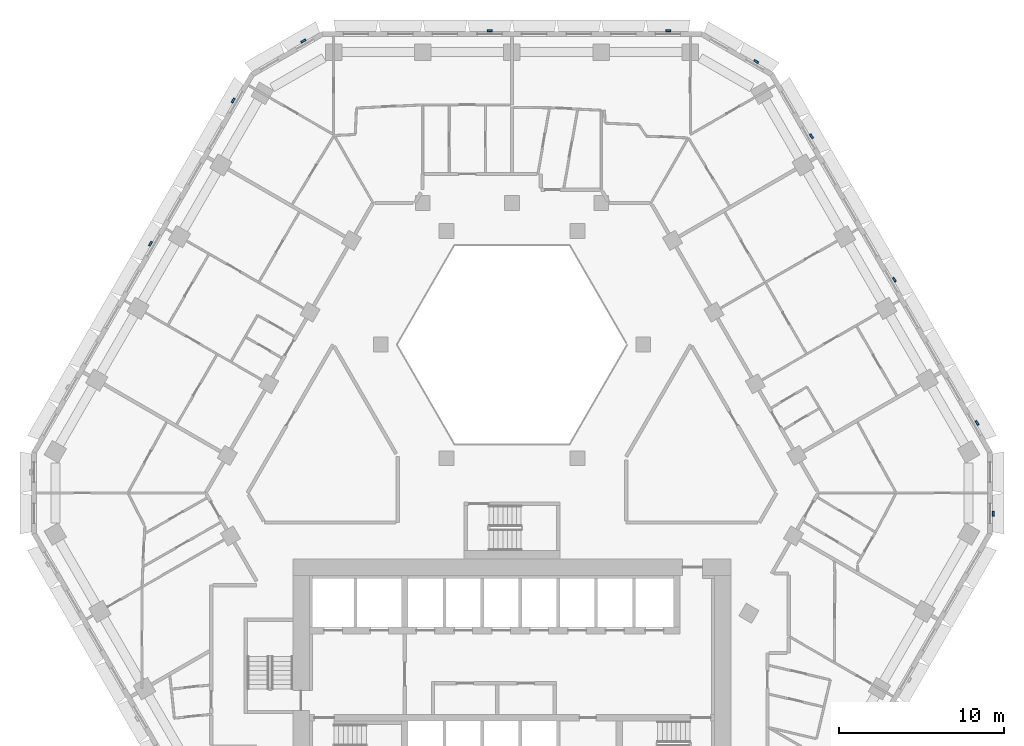
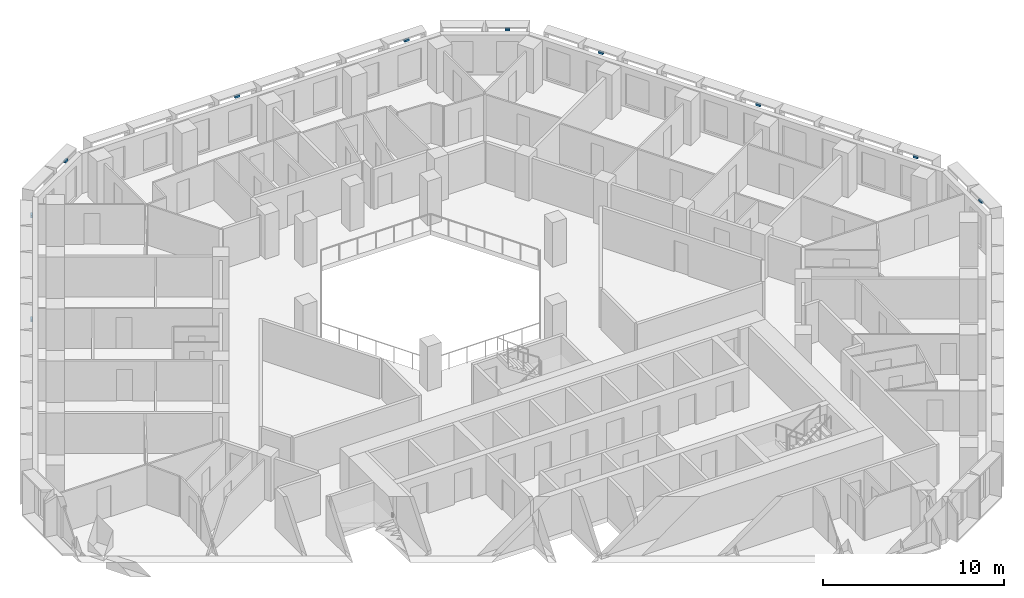
# One storey, part 12 of 18: 10 discrete accessories.
"""IFC4 building model written with IfcOpenShell, lengths in metres."""

import ifcopenshell
import ifcopenshell.guid

model = None  # the IFC model being written
_history = None  # IfcOwnerHistory: only IFC2X3 demands one
_inside = {}  # id of a spatial element -> (the spatial element, [elements in it])
_under = {}  # id of a project, library or spatial element -> (it, [spatial elements below it])
_declared = {}  # id of a project -> (the project, [libraries it declares])
_typed = {}  # id of a type object -> (the type object, [elements of that type])
_made_of = {}  # id of a material, layer set ... -> (it, [elements and type objects made of it])


def new_model(schema):
    """Start an empty IFC model of exactly this schema.

    Asked for "IFC4X3", IfcOpenShell would pick the latest addendum, in which some entities
    have other attributes; the version numbers below select the first issue.
    IFC2X3 requires an IfcOwnerHistory on every rooted entity: one is made here for all.
    """
    global model, _history
    if schema == "IFC4X3":
        model = ifcopenshell.file(schema_version=(4, 3, 0, 0))
    else:
        model = ifcopenshell.file(schema=schema)
    _inside.clear()
    _under.clear()
    _declared.clear()
    _typed.clear()
    _made_of.clear()
    _history = None
    if model.schema == "IFC2X3":
        org = make("IfcOrganization", Name="unknown")
        user = make(
            "IfcPersonAndOrganization",
            ThePerson=make("IfcPerson", FamilyName="unknown"),
            TheOrganization=org,
        )
        app = make(
            "IfcApplication",
            ApplicationDeveloper=org,
            Version="unknown",
            ApplicationFullName="unknown",
            ApplicationIdentifier="unknown",
        )
        _history = make(
            "IfcOwnerHistory",
            OwningUser=user,
            OwningApplication=app,
            ChangeAction="ADDED",
            CreationDate=0,
        )
    return model


def make(cls, **values):
    """One entity of the class cls with the attributes given. An attribute that is None is left unset."""
    return model.create_entity(
        cls, **{name: value for name, value in values.items() if value is not None}
    )


def rooted(cls, **values):
    """An entity with a GlobalId (a new one), such as an element, a storey or a relation."""
    return make(cls, GlobalId=ifcopenshell.guid.new(), OwnerHistory=_history, **values)


def si_unit(unit_type, name, prefix=None):
    """IfcSIUnit, for example si_unit("LENGTHUNIT", "METRE", prefix="MILLI")."""
    return make("IfcSIUnit", UnitType=unit_type, Prefix=prefix, Name=name)


def assignment(units):
    """IfcUnitAssignment: the units of a project."""
    return None if units is None else make("IfcUnitAssignment", Units=units)


def point(xyz):
    """IfcCartesianPoint."""
    return None if xyz is None else make("IfcCartesianPoint", Coordinates=xyz)


def direction(xyz):
    """IfcDirection."""
    return None if xyz is None else make("IfcDirection", DirectionRatios=xyz)


def frame(location, z_axis=None, x_axis=None):
    """IfcAxis2Placement3D, a coordinate frame: its origin and axes. An axis left out is left unset."""
    return make(
        "IfcAxis2Placement3D",
        Location=point(location),
        Axis=direction(z_axis),
        RefDirection=direction(x_axis),
    )


def origin():
    """The frame at (0, 0, 0) with its axes left unset."""
    return frame((0.0, 0.0, 0.0))


def place(relative_to, where):
    """IfcLocalPlacement: puts the frame where relative to a parent placement (None: the world)."""
    return make(
        "IfcLocalPlacement", PlacementRelTo=relative_to, RelativePlacement=where
    )


def context(
    kind, dimensions, precision=None, world=None, true_north=None, identifier=None
):
    """IfcGeometricRepresentationContext, for example the 3D "Model" context."""
    return make(
        "IfcGeometricRepresentationContext",
        ContextIdentifier=identifier,
        ContextType=kind,
        CoordinateSpaceDimension=dimensions,
        Precision=precision,
        WorldCoordinateSystem=world,
        TrueNorth=true_north,
    )


def subcontext(parent, identifier, kind, view, scale=None):
    """IfcGeometricRepresentationSubContext, for example "Body" below "Model"."""
    return make(
        "IfcGeometricRepresentationSubContext",
        ContextIdentifier=identifier,
        ContextType=kind,
        ParentContext=parent,
        TargetScale=scale,
        TargetView=view,
    )


def project(units=None, contexts=None):
    """IfcProject with its units and contexts."""
    return rooted(
        "IfcProject",
        Name="project",
        RepresentationContexts=contexts,
        UnitsInContext=assignment(units),
    )


def spatial(cls, under=None, at=None, **own):
    """A site, building, storey or space (cls), placed at a placement, below another one or the project."""
    s = rooted(cls, ObjectPlacement=at, **own)
    if under is not None:
        _under.setdefault(under.id(), (under, []))[1].append(s)
    return s


def polyline(points):
    """IfcPolyline through the points."""
    return make("IfcPolyline", Points=[point(p) for p in points])


def outline(outer, holes=None, kind="AREA"):
    """IfcArbitraryClosedProfileDef: a profile drawn as a closed curve; with holes, ...WithVoids."""
    if holes is None:
        return make("IfcArbitraryClosedProfileDef", ProfileType=kind, OuterCurve=outer)
    return make(
        "IfcArbitraryProfileDefWithVoids",
        ProfileType=kind,
        OuterCurve=outer,
        InnerCurves=holes,
    )


def extrude(swept, where, along, depth):
    """IfcExtrudedAreaSolid: the profile swept, set in the frame where, extruded along a direction by depth."""
    return make(
        "IfcExtrudedAreaSolid",
        SweptArea=swept,
        Position=where,
        ExtrudedDirection=direction(along),
        Depth=depth,
    )


def shape(context_of_items, identifier, shape_type, items):
    """IfcShapeRepresentation: the items that make up one representation, for example the "Body"."""
    return make(
        "IfcShapeRepresentation",
        ContextOfItems=context_of_items,
        RepresentationIdentifier=identifier,
        RepresentationType=shape_type,
        Items=items,
    )


def source(mapping_origin, context_of_items, identifier, shape_type, items):
    """IfcRepresentationMap: a shape defined once, which mapped items show again and again."""
    return make(
        "IfcRepresentationMap",
        MappingOrigin=mapping_origin,
        MappedRepresentation=shape(context_of_items, identifier, shape_type, items),
    )


def transform(
    local_origin,
    x_axis=None,
    y_axis=None,
    z_axis=None,
    scale=None,
    scale2=None,
    scale3=None,
    uniform=True,
):
    """IfcCartesianTransformationOperator3D, or its non-uniform kind. x_axis, y_axis, z_axis: its Axis1, 2, 3."""
    if uniform:
        return make(
            "IfcCartesianTransformationOperator3D",
            Axis1=direction(x_axis),
            Axis2=direction(y_axis),
            LocalOrigin=point(local_origin),
            Scale=scale,
            Axis3=direction(z_axis),
        )
    return make(
        "IfcCartesianTransformationOperator3DnonUniform",
        Axis1=direction(x_axis),
        Axis2=direction(y_axis),
        LocalOrigin=point(local_origin),
        Scale=scale,
        Axis3=direction(z_axis),
        Scale2=scale2,
        Scale3=scale3,
    )


def mapped(mapping_source, mapping_target):
    """IfcMappedItem: shows the shape of a source again, moved by a transform."""
    return make(
        "IfcMappedItem", MappingSource=mapping_source, MappingTarget=mapping_target
    )


def material(Name=None, Category=None):
    """IfcMaterial."""
    return make("IfcMaterial", Name=Name, Category=Category)


def made_of(thing, what):
    """Note that an element or type object is made of a material, layer set ...; save() writes the relation."""
    if what is not None:
        _made_of.setdefault(what.id(), (what, []))[1].append(thing)
    return thing


def type_object(cls, material=None, **own):
    """A type object (cls), such as IfcWallType, which elements share."""
    return made_of(rooted(cls, **own), material)


def type_shapes(of_type, sources):
    """Give a type object the sources (RepresentationMaps) that its elements show as mapped items."""
    of_type.RepresentationMaps = sources


def element(
    cls,
    number,
    at=None,
    inside=None,
    cuts=None,
    type_object=None,
    material=None,
    context=None,
    identifier="Body",
    shape_type=None,
    held_by="IfcProductDefinitionShape",
    body=None,
    shapes=None,
    **own,
):
    """One element of the class cls, such as IfcWall. Its Tag is "e" and its number.

    at: its placement. inside: the storey or other place that contains it. cuts: it is an
    opening in that element (IfcRelVoidsElement). A single representation is given by context,
    identifier, shape_type and body (its items); several are given by shapes. held_by: the class
    of the entity that holds the representations. save() writes the other relations.
    """
    e = rooted(cls, Tag="e%d" % number, ObjectPlacement=at, **own)
    if body is not None:
        shapes = [shape(context, identifier, shape_type, body)]
    if shapes is not None:
        e.Representation = make(held_by, Representations=shapes)
    if inside is not None:
        _inside.setdefault(inside.id(), (inside, []))[1].append(e)
    if cuts is not None:
        rooted(
            "IfcRelVoidsElement", RelatingBuildingElement=cuts, RelatedOpeningElement=e
        )
    if type_object is not None:
        _typed.setdefault(type_object.id(), (type_object, []))[1].append(e)
    return made_of(e, material)


def aggregate(whole, parts):
    """IfcRelAggregates: a whole, such as a stair, and the parts it consists of."""
    return rooted("IfcRelAggregates", RelatingObject=whole, RelatedObjects=parts)


def save(model, path):
    """Write the relations noted so far, then the file.

    IfcRelAggregates (storeys below a building ...), IfcRelContainedInSpatialStructure (elements
    in a storey), IfcRelDefinesByType, IfcRelAssociatesMaterial and IfcRelDeclares: one each for
    every whole, place, type object, material and project.
    """
    for whole, parts in _under.values():
        aggregate(whole, parts)
    for where, things in _inside.values():
        rooted(
            "IfcRelContainedInSpatialStructure",
            RelatedElements=things,
            RelatingStructure=where,
        )
    for kind, things in _typed.values():
        rooted("IfcRelDefinesByType", RelatedObjects=things, RelatingType=kind)
    for what, things in _made_of.values():
        rooted("IfcRelAssociatesMaterial", RelatedObjects=things, RelatingMaterial=what)
    for by, libraries in _declared.values():
        rooted("IfcRelDeclares", RelatingContext=by, RelatedDefinitions=libraries)
    model.write(path)


model = new_model("IFC4")

# Units and contexts
model_context = context("Model", 3, precision=1e-05, world=origin(), true_north=direction((0.0, 1.0)))
body_context = subcontext(model_context, "Body", "Model", "MODEL_VIEW")
ifc_project = project(units=[si_unit("LENGTHUNIT", "METRE"), si_unit("AREAUNIT", "SQUARE_METRE"), si_unit("VOLUMEUNIT", "CUBIC_METRE"), si_unit("PLANEANGLEUNIT", "RADIAN"), si_unit("MASSUNIT", "GRAM", prefix="KILO")], contexts=[model_context])

# Site, building, storey
site_placement = place(None, origin())
site = spatial("IfcSite", under=ifc_project, at=site_placement, CompositionType="ELEMENT")
building_placement = place(site_placement, origin())
building = spatial("IfcBuilding", under=site, at=building_placement, Name="Beryl Residences", CompositionType="ELEMENT")
storey_placement = place(building_placement, frame((0.0, 0.0, 75.0)))
storey = spatial("IfcBuildingStorey", under=building, at=storey_placement, Name="L22", CompositionType="ELEMENT", Elevation=75.0)

# Discrete accessories
ifc_material = material(Name="Steel S355", Category="steel")
discrete_accessory_type = type_object("IfcDiscreteAccessoryType", Name="BR1 frame bracket 300 x 120 x 150 mm", PredefinedType="BRACKET", material=ifc_material)
shared_shape = source(origin(), body_context, "Body", "SweptSolid", [
    extrude(outline(polyline([(-0.14990234375, 0.0), (0.14990234375, 0.0), (0.14990234375, 0.1201171875), (-0.14990234375, 0.1201171875), (-0.14990234375, 0.0)])), origin(), (0.0, 0.0, 1.0), 0.14990234375),
])
type_shapes(discrete_accessory_type, [shared_shape])
for number, where, z_axis, x_axis, name in (
    (1, (9.471923828125, 27.0, 2.75), (0.0, 0.0, 1.0), (1.0, 0.0, 0.0), "BR1 bracket L22 N 1"),
    (2, (-1.35400390625, 27.0, 2.75), (0.0, 0.0, 1.0), (1.0, 0.0, 0.0), "BR1 bracket L22 N 5"),
    (3, (-12.6298828125, 26.375, 2.75), (0.0, 0.0, 1.0), (0.866025403784, 0.5, 0.0), "BR1 bracket L22 N-NW 1"),
    (4, (-16.865966796875, 22.7880859375, 2.75), (0.0, 0.0, 1.0), (0.5, 0.866025403784, 0.0), "BR1 bracket L22 NW 1"),
    (5, (-21.888916015625, 14.087890625, 2.75), (0.0, 0.0, 1.0), (0.5, 0.866025403784, 0.0), "BR1 bracket L22 NW 5"),
    (6, (29.156982421875, -2.25, 2.75), (0.0, 0.0, 1.0), (0.0, -1.0, 0.0), "BR1 bracket L22 SE-NE 1"),
    (7, (28.16796875, 3.2119140625, 2.75), (0.0, 0.0, 1.0), (0.5, -0.866025403784, 0.0), "BR1 bracket L22 NE 1"),
    (8, (23.14501953125, 11.912109375, 2.75), (0.0, 0.0, 1.0), (0.5, -0.866025403784, 0.0), "BR1 bracket L22 NE 5"),
    (9, (18.1220703125, 20.612060546875, 2.75), (0.0, 0.0, 1.0), (0.5, -0.866025403784, 0.0), "BR1 bracket L22 NE 9"),
    (10, (14.7939453125, 25.125, 2.75), (0.0, 0.0, 1.0), (0.866025403784, -0.5, 0.0), "BR1 bracket L22 NE-N 1"),
):
    element("IfcDiscreteAccessory", number, at=place(storey_placement, frame(where, z_axis=z_axis, x_axis=x_axis)), inside=storey, type_object=discrete_accessory_type, Name=name, PredefinedType="BRACKET", context=body_context, shape_type="MappedRepresentation", body=[
        mapped(shared_shape, transform((0.0, 0.0, 0.0))),
    ])

save(model, "model.ifc")
